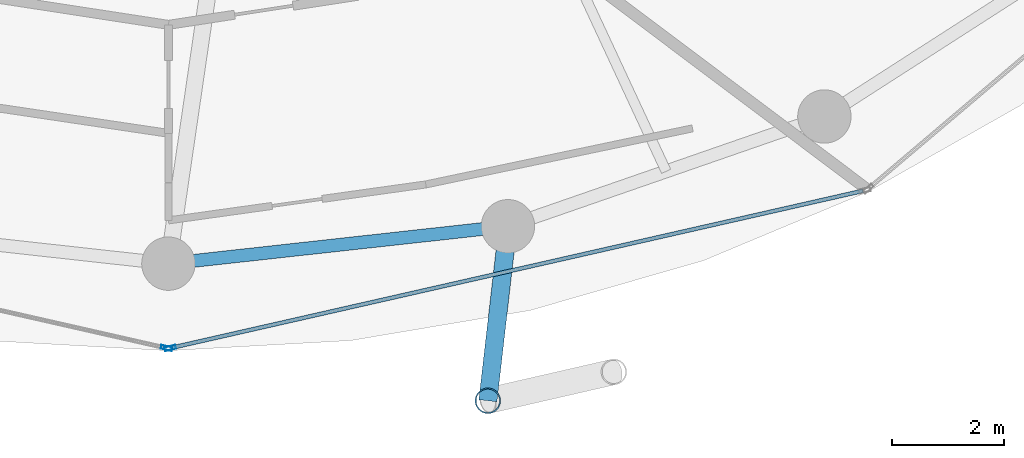
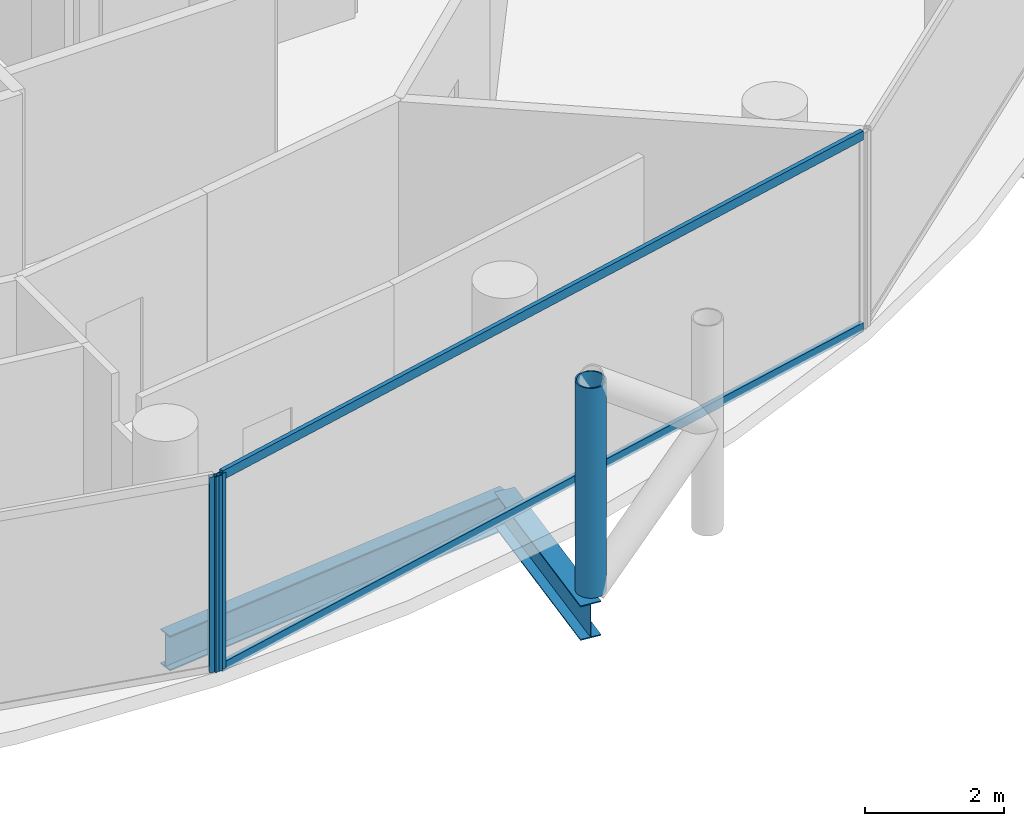
# One storey, part 4 of 26: 5 members, 2 beams, 2 elements without a shape of their own.
"""IFC4 building model written with IfcOpenShell, lengths in metres."""

from ifc_helpers import new_model, si_unit, direction, frame, origin, origin_2d, place, context, subcontext, project, spatial, hollow_rectangle, hollow_circle, i_section, extrude, material, layer, layer_set, material_profile, profile_set, type_object, element, aggregate, save


model = new_model("IFC4")

# Units and contexts
model_context = context("Model", 3, precision=1e-05, world=origin(), true_north=direction((0.0, 1.0)))
body_context = subcontext(model_context, "Body", "Model", "MODEL_VIEW")
ifc_project = project(units=[si_unit("LENGTHUNIT", "METRE"), si_unit("AREAUNIT", "SQUARE_METRE"), si_unit("VOLUMEUNIT", "CUBIC_METRE"), si_unit("PLANEANGLEUNIT", "RADIAN"), si_unit("MASSUNIT", "GRAM", prefix="KILO")], contexts=[model_context])

# Site, building, storey
site_placement = place(None, origin())
site = spatial("IfcSite", under=ifc_project, at=site_placement, CompositionType="ELEMENT")
building_placement = place(site_placement, origin())
building = spatial("IfcBuilding", under=site, at=building_placement, Name="Nuhasar Tower", CompositionType="ELEMENT")
storey_placement = place(building_placement, frame((0.0, 0.0, 136.75)))
storey = spatial("IfcBuildingStorey", under=building, at=storey_placement, Name="L32", CompositionType="ELEMENT", Elevation=136.75)

# Beams
ifc_material_1 = material(Name="Steel S355", Category="steel")
ifc_material_profile_1 = material_profile(ifc_material_1, i_section(OverallWidth=0.22998046875, OverallDepth=0.616943359375, WebThickness=0.01318359375, FlangeThickness=0.022216796875, at=origin_2d()), Name="W24X94")
ifc_profile_set_1 = profile_set([ifc_material_profile_1], Name="Steel S355")
beam_type_1 = type_object("IfcBeamType", Name="BM-RING-W24X94", PredefinedType="SPANDREL", material=ifc_profile_set_1)
beam_1_placement = place(storey_placement, frame((39.0, 7.25, -0.55908203125), z_axis=(0.993981289157, 0.109549974015, 0.0), x_axis=(-0.109549974015, 0.993981289157, 0.0)))
element("IfcBeam", 1, at=beam_1_placement, inside=storey, type_object=beam_type_1, Name="L32 Perimeter Ring Spandrel 19", PredefinedType="SPANDREL", context=body_context, shape_type="SweptSolid", body=[
    extrude(i_section(OverallWidth=0.22998046875, OverallDepth=0.616943359375, WebThickness=0.01318359375, FlangeThickness=0.022216796875, at=origin_2d()), origin(), (0.0, 0.0, 1.0), 6.07958984375),
])
ifc_material_profile_2 = material_profile(ifc_material_1, i_section(OverallWidth=0.323974609375, OverallDepth=0.611083984375, WebThickness=0.0126953125, FlangeThickness=0.01904296875, at=origin_2d()), Name="W24X104")
ifc_profile_set_2 = profile_set([ifc_material_profile_2], Name="Steel S355")
beam_type_2 = type_object("IfcBeamType", Name="BM-TIE-W24X104", PredefinedType="BEAM", material=ifc_profile_set_2)
beam_2_placement = place(storey_placement, frame((45.04296875, 7.916015625, -0.554931640625), z_axis=(-0.114167639647, -0.993461499031, 0.0), x_axis=(0.993461499031, -0.114167639647, 0.0)))
element("IfcBeam", 2, at=beam_2_placement, inside=storey, type_object=beam_type_2, Name="L32 Exoskeleton Node Tie Beam 10", PredefinedType="BEAM", context=body_context, shape_type="SweptSolid", body=[
    extrude(i_section(OverallWidth=0.323974609375, OverallDepth=0.611083984375, WebThickness=0.0126953125, FlangeThickness=0.01904296875, at=origin_2d()), origin(), (0.0, 0.0, 1.0), 3.12646484375),
])

# Curtain wall, member
ifc_material_2 = material(Name="Aluminium 6063-T6", Category="aluminium")
ifc_layer = layer(ifc_material_2, 0.199951171875)
ifc_layer_set = layer_set([ifc_layer], Name="Aluminium 6063-T6")
curtain_wall_type = type_object("IfcCurtainWallType", Name="CW-Z2-HTL", PredefinedType="NOTDEFINED", material=ifc_layer_set)
curtain_wall_1_placement = place(storey_placement, origin())
curtain_wall_1 = element("IfcCurtainWall", 3, at=curtain_wall_1_placement, inside=storey, type_object=curtain_wall_type, Name="L32 Unitised Curtain Wall 09", PredefinedType="NOTDEFINED")
ifc_material_profile_3 = material_profile(ifc_material_2, hollow_rectangle(XDim=0.070068359375, YDim=0.199951171875, WallThickness=0.0048828125, at=origin_2d()), Name="CWM-3")
ifc_profile_set_3 = profile_set([ifc_material_profile_3], Name="Aluminium 6063-T6")
member_type_1 = type_object("IfcMemberType", Name="CW-MUL-S3", PredefinedType="MULLION", material=ifc_profile_set_3)
member_1_placement = place(storey_placement, frame((38.9658203125, 5.747802734375, 0.0), z_axis=(0.0, 0.0, 1.0), x_axis=(0.22139729566, 0.975183694221, 0.0)))
member_1 = element("IfcMember", 4, at=member_1_placement, type_object=member_type_1, Name="CW-Z2 mullion 2", PredefinedType="MULLION", context=body_context, shape_type="SweptSolid", body=[
    extrude(hollow_rectangle(XDim=0.070068359375, YDim=0.199951171875, WallThickness=0.0048828125, at=origin_2d()), origin(), (0.0, 0.0, 1.0), 3.449951171875),
])
aggregate(curtain_wall_1, [member_1])

# Curtain wall, members
curtain_wall_2_placement = place(storey_placement, origin())
curtain_wall_2 = element("IfcCurtainWall", 5, at=curtain_wall_2_placement, inside=storey, type_object=curtain_wall_type, Name="L32 Unitised Curtain Wall 10", PredefinedType="NOTDEFINED")
member_2_placement = place(storey_placement, frame((39.0341796875, 5.747802734375, 0.0), z_axis=(0.0, 0.0, 1.0), x_axis=(-0.22139729566, 0.975183694221, 0.0)))
member_2 = element("IfcMember", 6, at=member_2_placement, type_object=member_type_1, Name="CW-Z2 mullion 1", PredefinedType="MULLION", context=body_context, shape_type="SweptSolid", body=[
    extrude(hollow_rectangle(XDim=0.070068359375, YDim=0.199951171875, WallThickness=0.0048828125, at=origin_2d()), origin(), (0.0, 0.0, 1.0), 3.449951171875),
])
ifc_material_profile_4 = material_profile(ifc_material_2, hollow_rectangle(XDim=0.070068359375, YDim=0.159912109375, WallThickness=0.00439453125, at=origin_2d()), Name="CWT-3")
ifc_profile_set_4 = profile_set([ifc_material_profile_4], Name="Aluminium 6063-T6")
member_type_2 = type_object("IfcMemberType", Name="CW-TRN-S3", PredefinedType="USERDEFINED", material=ifc_profile_set_4)
member_3_placement = place(storey_placement, frame((39.068359375, 5.755615234375, 0.034912109375), z_axis=(0.975187615691, 0.221380022142, 0.0), x_axis=(-0.221380022142, 0.975187615691, 0.0)))
member_3 = element("IfcMember", 7, at=member_3_placement, type_object=member_type_2, Name="CW-Z2 transom 1.1", ObjectType="TRANSOM", PredefinedType="USERDEFINED", context=body_context, shape_type="SweptSolid", body=[
    extrude(hollow_rectangle(XDim=0.070068359375, YDim=0.159912109375, WallThickness=0.00439453125, at=origin_2d()), origin(), (0.0, 0.0, 1.0), 12.606201171875),
])
member_4_placement = place(storey_placement, frame((39.068359375, 5.755615234375, 3.4150390625), z_axis=(0.975187615691, 0.221380022142, 0.0), x_axis=(-0.221380022142, 0.975187615691, 0.0)))
member_4 = element("IfcMember", 8, at=member_4_placement, type_object=member_type_2, Name="CW-Z2 transom 1.2", ObjectType="TRANSOM", PredefinedType="USERDEFINED", context=body_context, shape_type="SweptSolid", body=[
    extrude(hollow_rectangle(XDim=0.070068359375, YDim=0.159912109375, WallThickness=0.00439453125, at=origin_2d()), origin(), (0.0, 0.0, 1.0), 12.606201171875),
])
aggregate(curtain_wall_2, [member_2, member_3, member_4])

# Member
ifc_material_3 = material(Name="Steel S460", Category="steel")
ifc_material_profile_5 = material_profile(ifc_material_3, hollow_circle(Radius=0.228515625, WallThickness=0.022216796875, at=origin_2d()), Name="HSS457X22.2")
ifc_profile_set_5 = profile_set([ifc_material_profile_5], Name="Steel S460")
member_type_3 = type_object("IfcMemberType", Name="EXO-BRONZE-457", PredefinedType="BRACE", material=ifc_profile_set_5)
member_5_placement = place(storey_placement, frame((44.68603515625, 4.81005859375, 0.0), z_axis=(0.0, 0.0, 1.0), x_axis=(1.0, 0.0, 0.0)))
element("IfcMember", 9, at=member_5_placement, inside=storey, type_object=member_type_3, Name="L32 Exoskeleton Chord Column EC-10A", PredefinedType="BRACE", context=body_context, shape_type="SweptSolid", body=[
    extrude(hollow_circle(Radius=0.228515625, WallThickness=0.022216796875, at=origin_2d()), origin(), (0.0, 0.0, 1.0), 3.699951171875),
])

save(model, "model.ifc")
